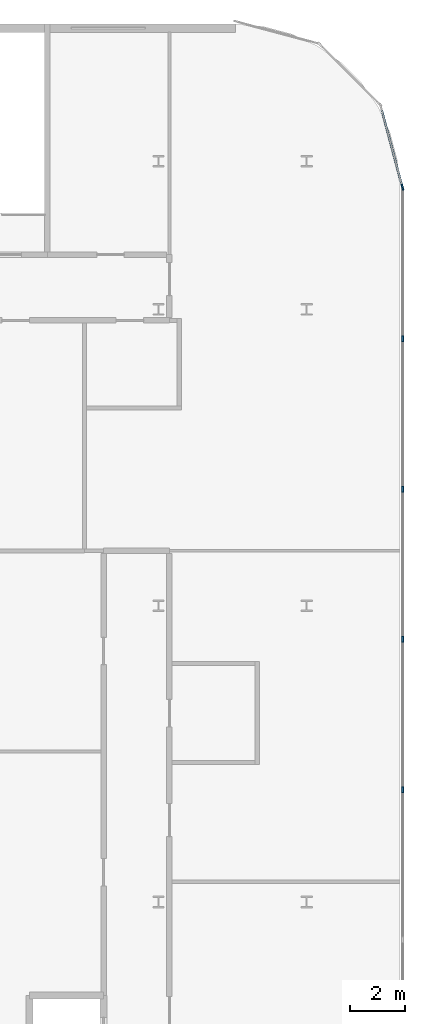
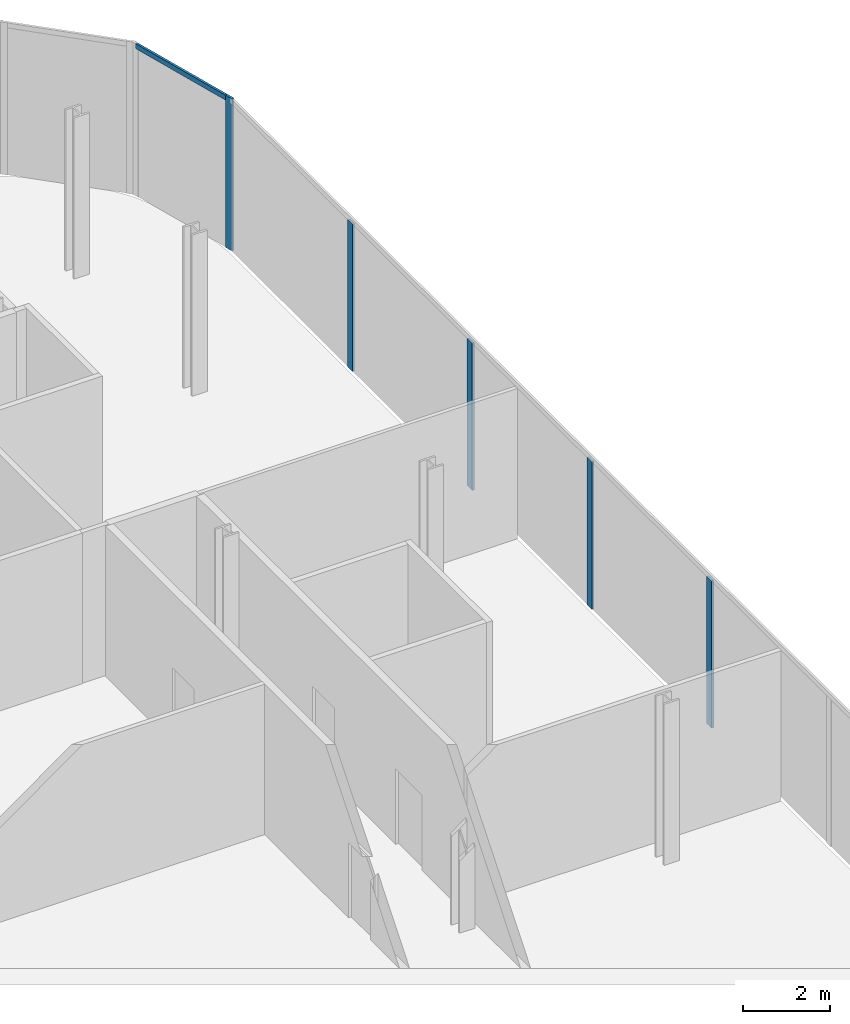
# One storey, part 21 of 43: 6 members, 2 elements without a shape of their own.
"""IFC4 building model written with IfcOpenShell, lengths in metres."""

from ifc_helpers import new_model, si_unit, direction, frame, origin, origin_2d, place, context, subcontext, project, spatial, rectangle, extrude, material, layer, layer_set, material_profile, profile_set, type_object, element, aggregate, save


model = new_model("IFC4")

# Units and contexts
model_context = context("Model", 3, precision=1e-05, world=origin(), true_north=direction((0.0, 1.0)))
body_context = subcontext(model_context, "Body", "Model", "MODEL_VIEW")
ifc_project = project(units=[si_unit("LENGTHUNIT", "METRE"), si_unit("AREAUNIT", "SQUARE_METRE"), si_unit("VOLUMEUNIT", "CUBIC_METRE"), si_unit("PLANEANGLEUNIT", "RADIAN"), si_unit("MASSUNIT", "GRAM", prefix="KILO")], contexts=[model_context])

# Site, building, storey
site_placement = place(None, origin())
site = spatial("IfcSite", under=ifc_project, at=site_placement, CompositionType="ELEMENT")
building_placement = place(site_placement, origin())
building = spatial("IfcBuilding", under=site, at=building_placement, Name="Kheshtan School and Residences Tower", CompositionType="ELEMENT")
storey_placement = place(building_placement, frame((0.0, 0.0, 26.0)))
storey = spatial("IfcBuildingStorey", under=building, at=storey_placement, Name="L05", CompositionType="ELEMENT", Elevation=26.0)

# Curtain wall, member
ifc_material_1 = material(Name="Clear low-e glass in thermally broken aluminium frame", Category="aluminium")
ifc_layer = layer(ifc_material_1, 0.22509765625)
ifc_layer_set = layer_set([ifc_layer], Name="Curtain wall CW-P")
curtain_wall_type = type_object("IfcCurtainWallType", Name="Curtain wall CW-P", PredefinedType="NOTDEFINED", material=ifc_layer_set)
curtain_wall_1_placement = place(storey_placement, origin())
curtain_wall_1 = element("IfcCurtainWall", 1, at=curtain_wall_1_placement, inside=storey, type_object=curtain_wall_type, Name="Curtain wall CWP7a", PredefinedType="NOTDEFINED")
ifc_material_2 = material(Name="Thermally broken aluminium, dark bronze anodised", Category="aluminium")
ifc_material_profile_1 = material_profile(ifc_material_2, rectangle(XDim=0.06005859375, YDim=0.22509765625, at=origin_2d()), Name="CW-P mullion 60x225")
ifc_profile_set_1 = profile_set([ifc_material_profile_1], Name="Thermally broken aluminium, dark bronze anodised")
member_type_1 = type_object("IfcMemberType", Name="CW-P mullion 60x225", PredefinedType="MULLION", material=ifc_profile_set_1)
member_1_placement = place(storey_placement, frame((132.0888671875, 104.054931640625, 0.0), z_axis=(0.0, 0.0, 1.0), x_axis=(0.965913556273, 0.258864833085, 0.0)))
member_1 = element("IfcMember", 2, at=member_1_placement, type_object=member_type_1, Name="CWP7a mullion 2", PredefinedType="MULLION", context=body_context, shape_type="SweptSolid", body=[
    extrude(rectangle(XDim=0.06005859375, YDim=0.22509765625, at=origin_2d()), origin(), (0.0, 0.0, 1.0), 4.25),
])

# Curtain wall, members
curtain_wall_2_placement = place(storey_placement, origin())
curtain_wall_2 = element("IfcCurtainWall", 3, at=curtain_wall_2_placement, inside=storey, type_object=curtain_wall_type, Name="Curtain wall CWP8a", PredefinedType="NOTDEFINED")
member_2_placement = place(storey_placement, frame((132.10009765625, 98.5244140625, 0.0), z_axis=(0.0, 0.0, 1.0), x_axis=(1.0, 0.0, 0.0)))
member_2 = element("IfcMember", 4, at=member_2_placement, type_object=member_type_1, Name="CWP8a mullion 2", PredefinedType="MULLION", context=body_context, shape_type="SweptSolid", body=[
    extrude(rectangle(XDim=0.06005859375, YDim=0.22509765625, at=origin_2d()), origin(), (0.0, 0.0, 1.0), 4.110107421875),
])
member_3_placement = place(storey_placement, frame((132.10009765625, 93.048828125, 0.0), z_axis=(0.0, 0.0, 1.0), x_axis=(1.0, 0.0, 0.0)))
member_3 = element("IfcMember", 5, at=member_3_placement, type_object=member_type_1, Name="CWP8a mullion 3", PredefinedType="MULLION", context=body_context, shape_type="SweptSolid", body=[
    extrude(rectangle(XDim=0.06005859375, YDim=0.22509765625, at=origin_2d()), origin(), (0.0, 0.0, 1.0), 4.110107421875),
])
member_4_placement = place(storey_placement, frame((132.10009765625, 87.5732421875, 0.0), z_axis=(0.0, 0.0, 1.0), x_axis=(1.0, 0.0, 0.0)))
member_4 = element("IfcMember", 6, at=member_4_placement, type_object=member_type_1, Name="CWP8a mullion 4", PredefinedType="MULLION", context=body_context, shape_type="SweptSolid", body=[
    extrude(rectangle(XDim=0.06005859375, YDim=0.22509765625, at=origin_2d()), origin(), (0.0, 0.0, 1.0), 4.110107421875),
])
member_5_placement = place(storey_placement, frame((132.10009765625, 82.09765625, 0.0), z_axis=(0.0, 0.0, 1.0), x_axis=(1.0, 0.0, 0.0)))
member_5 = element("IfcMember", 7, at=member_5_placement, type_object=member_type_1, Name="CWP8a mullion 5", PredefinedType="MULLION", context=body_context, shape_type="SweptSolid", body=[
    extrude(rectangle(XDim=0.06005859375, YDim=0.22509765625, at=origin_2d()), origin(), (0.0, 0.0, 1.0), 4.110107421875),
])
aggregate(curtain_wall_2, [member_2, member_3, member_4, member_5])

# Member
ifc_material_profile_2 = material_profile(ifc_material_2, rectangle(XDim=0.06005859375, YDim=0.139892578125, at=origin_2d()), Name="CW-P transom 60x140")
ifc_profile_set_2 = profile_set([ifc_material_profile_2], Name="Thermally broken aluminium, dark bronze anodised")
member_type_2 = type_object("IfcMemberType", Name="CW-P transom 60x140", PredefinedType="USERDEFINED", material=ifc_profile_set_2)
member_6_placement = place(storey_placement, frame((131.30810546875, 106.968017578125, 4.179931640625), z_axis=(0.258853238275, -0.965916663607, 0.0), x_axis=(0.965916663607, 0.258853238275, 0.0)))
member_6 = element("IfcMember", 8, at=member_6_placement, type_object=member_type_2, Name="CWP7a transom 1", ObjectType="TRANSOM", PredefinedType="USERDEFINED", context=body_context, shape_type="SweptSolid", body=[
    extrude(rectangle(XDim=0.06005859375, YDim=0.139892578125, at=origin_2d()), origin(), (0.0, 0.0, 1.0), 2.986083984375),
])

aggregate(curtain_wall_1, [member_1, member_6])

save(model, "model.ifc")
